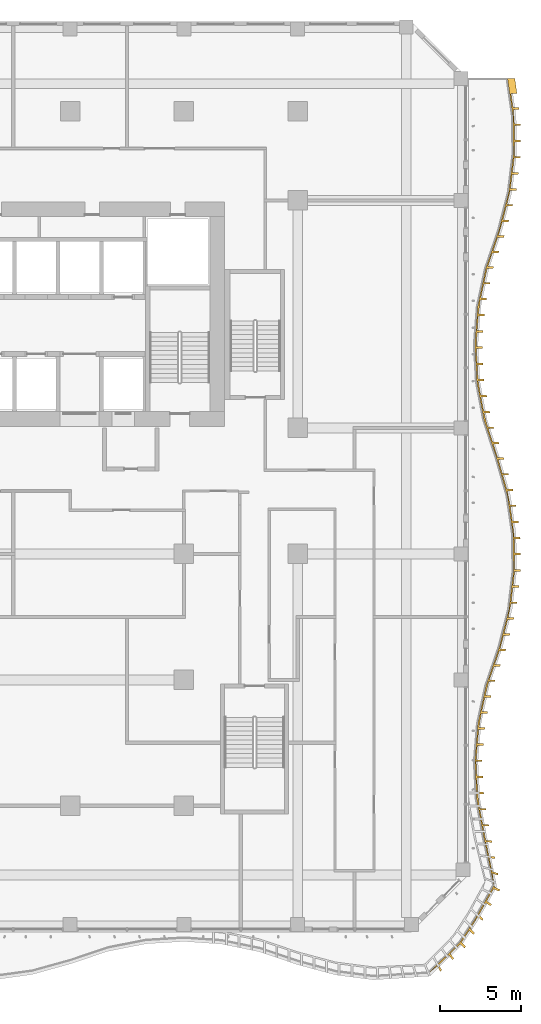
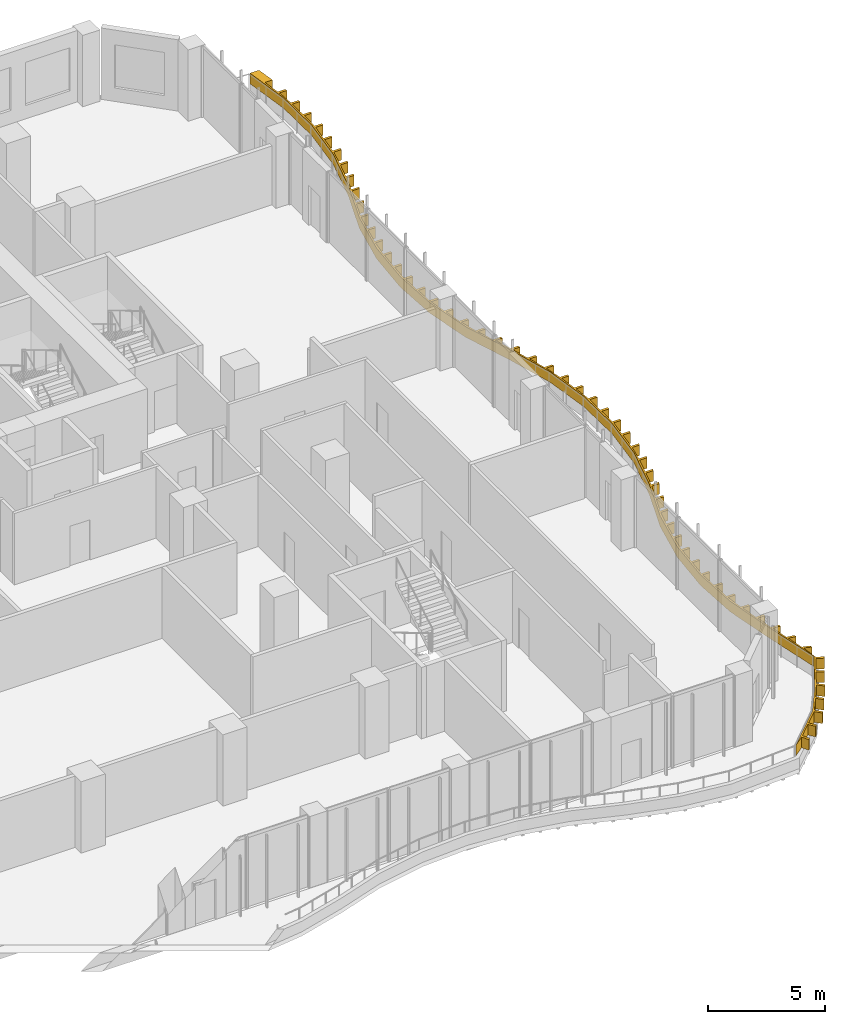
# One storey, part 24 of 27: 1 shading device.
"""IFC4 building model written with IfcOpenShell, lengths in metres."""

from ifc_helpers import new_model, si_unit, direction, frame, origin, place, context, subcontext, project, spatial, polyline, outline, extrude, source, transform, mapped, material, layer, layer_set, type_object, element, save


model = new_model("IFC4")

# Units and contexts
model_context = context("Model", 3, precision=1e-05, world=origin(), true_north=direction((0.0, 1.0)))
body_context = subcontext(model_context, "Body", "Model", "MODEL_VIEW")
ifc_project = project(units=[si_unit("LENGTHUNIT", "METRE"), si_unit("AREAUNIT", "SQUARE_METRE"), si_unit("VOLUMEUNIT", "CUBIC_METRE"), si_unit("PLANEANGLEUNIT", "RADIAN"), si_unit("MASSUNIT", "GRAM", prefix="KILO")], contexts=[model_context])

# Site, building, storey
site_placement = place(None, origin())
site = spatial("IfcSite", under=ifc_project, at=site_placement, CompositionType="ELEMENT")
building_placement = place(site_placement, origin())
building = spatial("IfcBuilding", under=site, at=building_placement, Name="Kilnfold Tower and Market Hall", CompositionType="ELEMENT")
storey_placement = place(building_placement, frame((0.0, 0.0, 116.60009765625)))
storey = spatial("IfcBuildingStorey", under=building, at=storey_placement, Name="L27", CompositionType="ELEMENT", Elevation=116.60009765625)

# Shading device
ifc_material = material(Name="Bronze anodised aluminium", Category="aluminium")
ifc_layer = layer(ifc_material, 0.550048828125)
ifc_layer_set = layer_set([ifc_layer], Name="Bronze anodised aluminium")
shading_device_type = type_object("IfcShadingDeviceType", Name="BRONZE SLAT FASCIA 550", PredefinedType="USERDEFINED", material=ifc_layer_set)
shared_shape = source(origin(), body_context, "Body", "SweptSolid", [
    extrude(outline(polyline([(31.275634765625, -25.4384765625), (31.1015625, -25.1162109375), (30.584228515625, -25.521484375), (32.484619140625, -23.651123046875), (33.4052734375, -22.238525390625), (34.57666015625, -20.153076171875), (33.94677734375, -17.166748046875), (33.518310546875, -14.833251953125), (33.402099609375, -12.5), (33.5927734375, -10.166748046875), (34.099853515625, -7.833251953125), (34.903564453125, -5.5), (35.501220703125, -3.166748046875), (35.7763671875, -0.833251953125), (35.743896484375, 1.5), (35.402099609375, 3.833251953125), (34.732421875, 6.166748046875), (33.964599609375, 8.5), (33.526611328125, 10.833251953125), (33.4013671875, 13.166748046875), (33.58251953125, 15.5), (34.07958984375, 17.833251953125), (34.880126953125, 20.166748046875), (35.48779296875, 22.5), (35.7724609375, 24.833251953125), (35.74951171875, 27.166748046875), (35.417236328125, 29.5), (35.8671875, 29.5), (35.997314453125, 28.5859375), (35.627197265625, 28.5859375), (35.75146484375, 27.714599609375), (36.121337890625, 27.714599609375), (36.13818359375, 27.595947265625), (35.768310546875, 27.595947265625), (35.833740234375, 26.72021484375), (36.203857421875, 26.72021484375), (36.205078125, 26.60009765625), (35.8349609375, 26.60009765625), (35.84375, 25.72021484375), (36.213623046875, 25.72021484375), (36.21484375, 25.600341796875), (35.844970703125, 25.600341796875), (35.8388671875, 24.72119140625), (36.208740234375, 24.72119140625), (36.1943359375, 24.60205078125), (35.82421875, 24.60205078125), (35.7177734375, 23.728515625), (36.087646484375, 23.728515625), (36.0732421875, 23.609375), (35.703125, 23.609375), (35.5966796875, 22.73583984375), (35.966796875, 22.73583984375), (35.9521484375, 22.61669921875), (35.58203125, 22.61669921875), (35.375732421875, 21.76220703125), (35.74560546875, 21.76220703125), (35.715576171875, 21.64599609375), (35.345458984375, 21.64599609375), (35.12353515625, 20.79443359375), (35.49365234375, 20.79443359375), (35.46337890625, 20.678466796875), (35.093505859375, 20.678466796875), (34.84619140625, 19.83447265625), (35.216064453125, 19.83447265625), (35.17724609375, 19.720947265625), (34.80712890625, 19.720947265625), (34.521728515625, 18.888671875), (34.8916015625, 18.888671875), (34.852783203125, 18.77490234375), (34.482666015625, 18.77490234375), (34.197265625, 17.942626953125), (34.567138671875, 17.942626953125), (34.52880859375, 17.8291015625), (34.15869140625, 17.8291015625), (33.975341796875, 16.96826171875), (34.34521484375, 16.96826171875), (34.3203125, 16.85107421875), (33.9501953125, 16.85107421875), (33.766845703125, 15.990234375), (34.136962890625, 15.990234375), (34.11181640625, 15.872802734375), (33.741943359375, 15.872802734375), (33.623779296875, 15.002685546875), (33.993896484375, 15.002685546875), (33.984619140625, 14.88330078125), (33.614501953125, 14.88330078125), (33.54638671875, 14.005859375), (33.91650390625, 14.005859375), (33.906982421875, 13.88623046875), (33.537109375, 13.88623046875), (33.48974609375, 13.008544921875), (33.85986328125, 13.008544921875), (33.8662109375, 12.888671875), (33.49609375, 12.888671875), (33.54345703125, 12.010009765625), (33.913330078125, 12.010009765625), (33.919921875, 11.89013671875), (33.5498046875, 11.89013671875), (33.596923828125, 11.011474609375), (33.966796875, 11.011474609375), (33.973388671875, 10.8916015625), (33.603515625, 10.8916015625), (33.758056640625, 10.02587890625), (34.128173828125, 10.02587890625), (34.150390625, 9.907958984375), (33.7802734375, 9.907958984375), (33.942626953125, 9.04296875), (34.312744140625, 9.04296875), (34.3349609375, 8.925048828125), (33.96484375, 8.925048828125), (34.1845703125, 8.074951171875), (34.554443359375, 8.074951171875), (34.592041015625, 7.9609375), (34.221923828125, 7.9609375), (34.4970703125, 7.125), (34.866943359375, 7.125), (34.904541015625, 7.010986328125), (34.534423828125, 7.010986328125), (34.8095703125, 6.175048828125), (35.179443359375, 6.175048828125), (35.182373046875, 6.166748046875), (35.212890625, 6.059814453125), (34.843017578125, 6.059814453125), (35.085693359375, 5.214111328125), (35.455810546875, 5.214111328125), (35.489013671875, 5.0986328125), (35.118896484375, 5.0986328125), (35.36181640625, 4.252685546875), (35.731689453125, 4.252685546875), (35.764892578125, 4.137451171875), (35.39501953125, 4.137451171875), (35.56396484375, 3.275634765625), (35.933837890625, 3.275634765625), (35.951171875, 3.156982421875), (35.581298828125, 3.156982421875), (35.708740234375, 2.286376953125), (36.078857421875, 2.286376953125), (36.09619140625, 2.16748046875), (35.72607421875, 2.16748046875), (35.826904296875, 1.294677734375), (36.19677734375, 1.294677734375), (36.198486328125, 1.1748046875), (35.828369140625, 1.1748046875), (35.840576171875, 0.294921875), (36.210693359375, 0.294921875), (36.21240234375, 0.1748046875), (35.84228515625, 0.1748046875), (35.8544921875, -0.705078125), (36.224609375, -0.705078125), (36.226318359375, -0.8251953125), (35.856201171875, -0.8251953125), (35.754150390625, -1.69921875), (36.124267578125, -1.69921875), (36.110107421875, -1.818359375), (35.740234375, -1.818359375), (35.63720703125, -2.6923828125), (36.007080078125, -2.6923828125), (35.9931640625, -2.811279296875), (35.623046875, -2.811279296875), (35.45166015625, -3.672607421875), (35.821533203125, -3.672607421875), (35.791748046875, -3.788818359375), (35.421875, -3.788818359375), (35.20361328125, -4.641357421875), (35.573486328125, -4.641357421875), (35.543701171875, -4.757568359375), (35.173583984375, -4.757568359375), (34.946533203125, -5.607421875), (35.31640625, -5.607421875), (35.27734375, -5.720947265625), (34.907470703125, -5.720947265625), (34.620849609375, -6.552978515625), (34.990966796875, -6.552978515625), (34.951904296875, -6.66650390625), (34.581787109375, -6.66650390625), (34.295166015625, -7.498291015625), (34.665283203125, -7.498291015625), (34.626220703125, -7.61181640625), (34.256103515625, -7.61181640625), (34.042724609375, -8.46435546875), (34.41259765625, -8.46435546875), (34.38720703125, -8.581787109375), (34.017333984375, -8.581787109375), (33.830322265625, -9.441650390625), (34.200439453125, -9.441650390625), (34.1748046875, -9.558837890625), (33.804931640625, -9.558837890625), (33.65185546875, -10.423828125), (34.021728515625, -10.423828125), (34.011962890625, -10.54345703125), (33.64208984375, -10.54345703125), (33.5703125, -11.42041015625), (33.9404296875, -11.42041015625), (33.9306640625, -11.5400390625), (33.560546875, -11.5400390625), (33.489013671875, -12.417236328125), (33.85888671875, -12.417236328125), (33.85400390625, -12.536865234375), (33.48388671875, -12.536865234375), (33.527587890625, -13.415771484375), (33.897705078125, -13.415771484375), (33.90380859375, -13.53564453125), (33.53369140625, -13.53564453125), (33.577392578125, -14.41455078125), (33.947509765625, -14.41455078125), (33.953369140625, -14.534423828125), (33.583251953125, -14.534423828125), (33.703125, -15.404541015625), (34.072998046875, -15.404541015625), (34.0947265625, -15.5224609375), (33.724853515625, -15.5224609375), (33.8837890625, -16.387939453125), (34.253662109375, -16.387939453125), (34.275390625, -16.506103515625), (33.905517578125, -16.506103515625), (34.067626953125, -17.367919921875), (34.436279296875, -17.377197265625), (34.459228515625, -17.49853515625), (34.09130859375, -17.483642578125), (34.265869140625, -18.333251953125), (34.627197265625, -18.388427734375), (34.64990234375, -18.509765625), (34.289794921875, -18.44921875), (34.4658203125, -19.298828125), (34.81787109375, -19.3994140625), (34.8408203125, -19.520751953125), (34.489990234375, -19.414794921875), (34.609619140625, -20.255615234375), (34.94921875, -20.401611328125), (34.887451171875, -20.510009765625), (34.551513671875, -20.358154296875), (34.126708984375, -21.109619140625), (34.435302734375, -21.304931640625), (34.37353515625, -21.413330078125), (34.06884765625, -21.2119140625), (33.646484375, -21.96484375), (33.92138671875, -22.20849609375), (33.85986328125, -22.31689453125), (33.5888671875, -22.067626953125), (33.126220703125, -22.809814453125), (33.3876953125, -23.071533203125), (33.322265625, -23.172119140625), (33.060791015625, -22.910400390625), (32.580078125, -23.647705078125), (32.841796875, -23.9091796875), (32.802734375, -23.96923828125), (32.7666015625, -24.00390625), (32.5068359375, -23.740966796875), (31.8876953125, -24.34521484375), (32.110595703125, -24.63525390625), (32.02099609375, -24.72119140625), (31.803466796875, -24.427734375), (31.185791015625, -25.033447265625), (31.364990234375, -25.352294921875), (31.275634765625, -25.4384765625)])), origin(), (0.0, 0.0, 1.0), 0.550048828125),
])
shading_device_placement = place(storey_placement, frame((0.0, 0.0, 0.5498046875)))
element("IfcShadingDevice", 1, at=shading_device_placement, inside=storey, type_object=shading_device_type, Name="Balcony slat fascia L27", ObjectType="SLAT", PredefinedType="USERDEFINED", context=body_context, shape_type="MappedRepresentation", body=[
    mapped(shared_shape, transform((0.0, 0.0, 0.0))),
])

save(model, "model.ifc")
